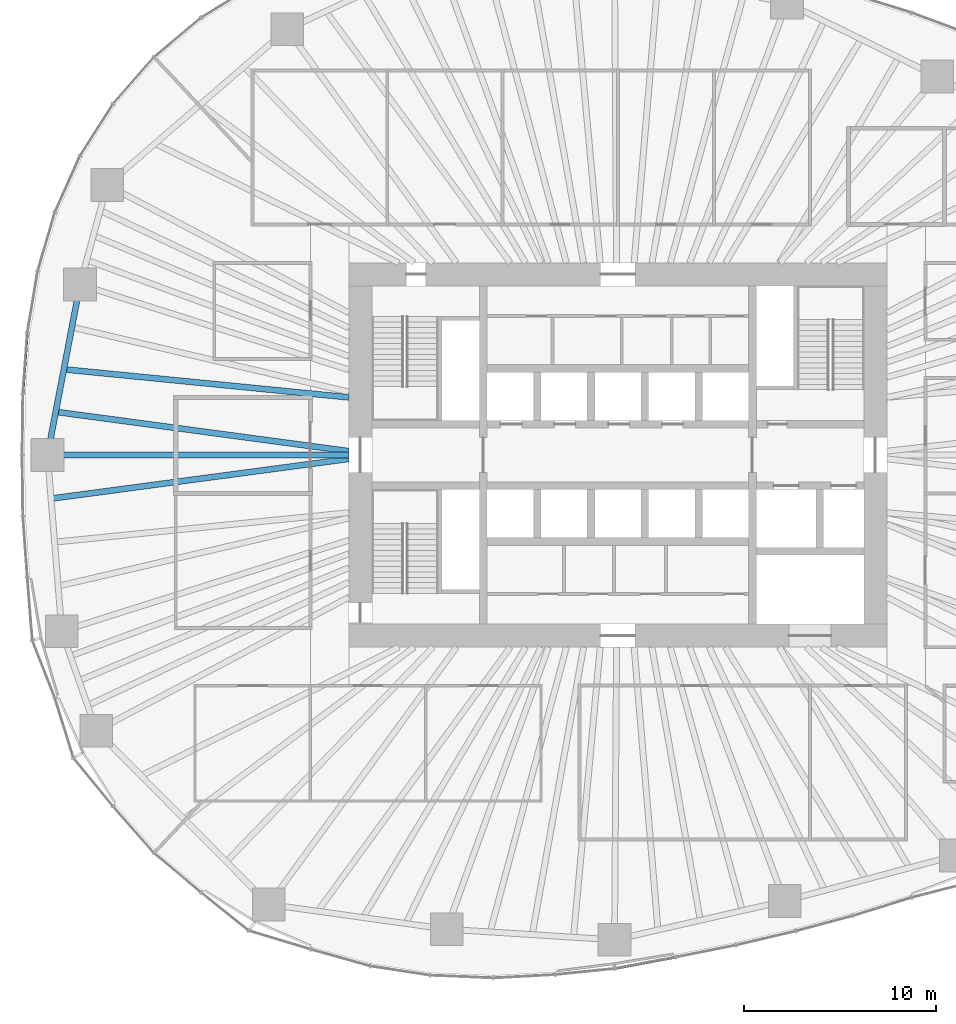
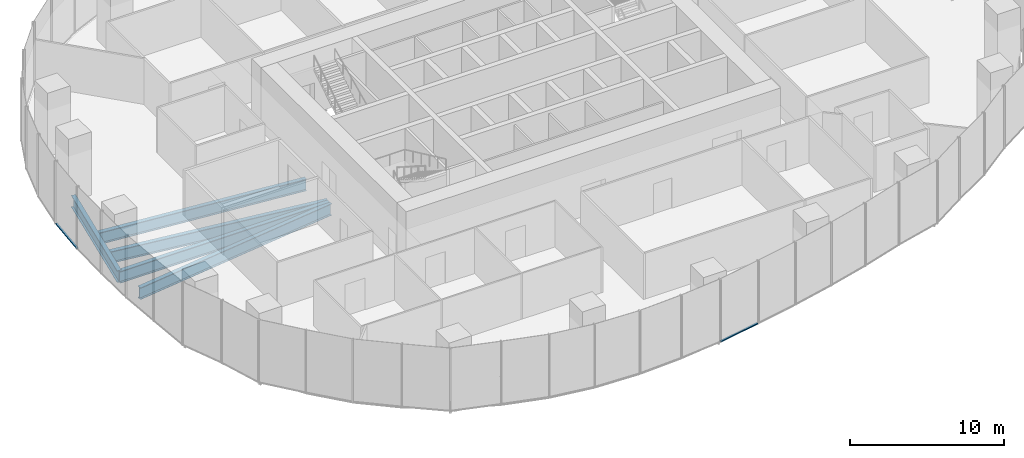
# One storey, part 3 of 20: 5 beams, 2 members, 2 elements without a shape of their own.
"""IFC4 building model written with IfcOpenShell, lengths in metres."""

from ifc_helpers import new_model, si_unit, direction, frame, origin, origin_2d, place, context, subcontext, project, spatial, rectangle, i_section, extrude, material, material_profile, profile_set, type_object, element, aggregate, save


model = new_model("IFC4")

# Units and contexts
model_context = context("Model", 3, precision=1e-05, world=origin(), true_north=direction((0.0, 1.0)))
body_context = subcontext(model_context, "Body", "Model", "MODEL_VIEW")
ifc_project = project(units=[si_unit("LENGTHUNIT", "METRE"), si_unit("AREAUNIT", "SQUARE_METRE"), si_unit("VOLUMEUNIT", "CUBIC_METRE"), si_unit("PLANEANGLEUNIT", "RADIAN"), si_unit("MASSUNIT", "GRAM", prefix="KILO")], contexts=[model_context])

# Site, building, storey
site_placement = place(None, origin())
site = spatial("IfcSite", under=ifc_project, at=site_placement, CompositionType="ELEMENT")
building_placement = place(site_placement, origin())
building = spatial("IfcBuilding", under=site, at=building_placement, Name="Ghaith Harvest Tower", CompositionType="ELEMENT")
storey_placement = place(building_placement, frame((0.0, 0.0, 90.0)))
storey = spatial("IfcBuildingStorey", under=building, at=storey_placement, Name="L18", CompositionType="ELEMENT", Elevation=90.0)

# Curtain wall, member
ifc_material_1 = material(Name="Black anodised aluminium and fritted glass", Category="aluminium")
curtain_wall_type = type_object("IfcCurtainWallType", Name="CW-F CURTAIN WALL", PredefinedType="NOTDEFINED", material=ifc_material_1)
curtain_wall_1_placement = place(storey_placement, origin())
curtain_wall_1 = element("IfcCurtainWall", 1, at=curtain_wall_1_placement, inside=storey, type_object=curtain_wall_type, Name="Curtain wall CW-F bay 10 L18", PredefinedType="NOTDEFINED")
ifc_material_2 = material(Name="Aluminium, black anodised", Category="aluminium")
ifc_material_profile_1 = material_profile(ifc_material_2, rectangle(XDim=0.139892578125, YDim=0.080078125, at=origin_2d()), Name="CW-F TRANSOM 140x80")
ifc_profile_set_1 = profile_set([ifc_material_profile_1], Name="Aluminium, black anodised")
member_type = type_object("IfcMemberType", Name="CW-F TRANSOM 140x80", PredefinedType="USERDEFINED", material=ifc_profile_set_1)
member_1_placement = place(storey_placement, frame((-30.72705078125, 6.335693359375, 0.0400390625), z_axis=(-0.072473547161, -0.997370334912, 0.0), x_axis=(0.997370334912, -0.072473547161, 0.0)))
member_1 = element("IfcMember", 2, at=member_1_placement, type_object=member_type, Name="CW-F transom 2 bay 10 L18", ObjectType="TRANSOM", PredefinedType="USERDEFINED", context=body_context, shape_type="SweptSolid", body=[
    extrude(rectangle(XDim=0.139892578125, YDim=0.080078125, at=origin_2d()), origin(), (0.0, 0.0, 1.0), 3.126220703125),
])
aggregate(curtain_wall_1, [member_1])

curtain_wall_2_placement = place(storey_placement, origin())
curtain_wall_2 = element("IfcCurtainWall", 3, at=curtain_wall_2_placement, inside=storey, type_object=curtain_wall_type, Name="Curtain wall CW-F bay 16 L18", PredefinedType="NOTDEFINED")
member_2_placement = place(storey_placement, frame((-0.1435546875, -26.709716796875, 0.0400390625), z_axis=(0.983139075124, 0.182859396706, 0.0), x_axis=(-0.182859396706, 0.983139075124, 0.0)))
member_2 = element("IfcMember", 4, at=member_2_placement, type_object=member_type, Name="CW-F transom 1 bay 16 L18", ObjectType="TRANSOM", PredefinedType="USERDEFINED", context=body_context, shape_type="SweptSolid", body=[
    extrude(rectangle(XDim=0.139892578125, YDim=0.080078125, at=origin_2d()), origin(), (0.0, 0.0, 1.0), 3.1669921875),
])
aggregate(curtain_wall_2, [member_2])

# Beams
ifc_material_3 = material(Name="Steel ASTM A992 Grade 50", Category="steel")
ifc_material_profile_2 = material_profile(ifc_material_3, i_section(OverallWidth=0.306884765625, OverallDepth=0.94189453125, WebThickness=0.022216796875, FlangeThickness=0.039794921875, at=origin_2d()), Name="W920X345")
ifc_profile_set_2 = profile_set([ifc_material_profile_2], Name="Steel ASTM A992 Grade 50")
beam_type_1 = type_object("IfcBeamType", Name="E920-345 W920X345", PredefinedType="SPANDREL", material=ifc_profile_set_2)
beam_1_placement = place(storey_placement, frame((-27.98291015625, 8.867919921875, -0.6708984375), z_axis=(-0.187433949108, -0.982277208695, 0.0), x_axis=(0.982277208695, -0.187433949108, 0.0)))
element("IfcBeam", 5, at=beam_1_placement, inside=storey, type_object=beam_type_1, Name="Edge beam E10 L18", PredefinedType="SPANDREL", context=body_context, shape_type="SweptSolid", body=[
    extrude(i_section(OverallWidth=0.306884765625, OverallDepth=0.94189453125, WebThickness=0.022216796875, FlangeThickness=0.039794921875, at=origin_2d()), origin(), (0.0, 0.0, 1.0), 9.02783203125),
])
ifc_material_4 = material(Name="Steel ASTM A992 Grade 50", Category="steel")
ifc_material_profile_3 = material_profile(ifc_material_4, i_section(OverallWidth=0.306884765625, OverallDepth=0.94189453125, WebThickness=0.022216796875, FlangeThickness=0.039794921875, at=origin_2d()), Name="W920X345")
ifc_profile_set_3 = profile_set([ifc_material_profile_3], Name="Steel ASTM A992 Grade 50")
beam_type_2 = type_object("IfcBeamType", Name="G920-345 W920X345", PredefinedType="BEAM", material=ifc_profile_set_3)
beam_2_placement = place(storey_placement, frame((-14.0, 0.0, -0.6708984375), z_axis=(-1.0, 0.0, 0.0), x_axis=(0.0, -1.0, 0.0)))
element("IfcBeam", 6, at=beam_2_placement, inside=storey, type_object=beam_type_2, Name="Radial girder G11 L18", PredefinedType="BEAM", context=body_context, shape_type="SweptSolid", body=[
    extrude(i_section(OverallWidth=0.306884765625, OverallDepth=0.94189453125, WebThickness=0.022216796875, FlangeThickness=0.039794921875, at=origin_2d()), origin(), (0.0, 0.0, 1.0), 15.675048828125),
])
ifc_material_5 = material(Name="Steel ASTM A992 Grade 50", Category="steel")
ifc_material_profile_4 = material_profile(ifc_material_5, i_section(OverallWidth=0.31005859375, OverallDepth=0.927001953125, WebThickness=0.019287109375, FlangeThickness=0.031982421875, at=origin_2d()), Name="W920X289")
ifc_profile_set_4 = profile_set([ifc_material_profile_4], Name="Steel ASTM A992 Grade 50")
beam_type_3 = type_object("IfcBeamType", Name="J920-289 W920X289", PredefinedType="JOIST", material=ifc_profile_set_4)
beam_3_placement = place(storey_placement, frame((-14.0, 3.0, -0.66357421875), z_axis=(-0.995196704135, 0.097895454848, 0.0), x_axis=(-0.097895454848, -0.995196704135, 0.0)))
element("IfcBeam", 7, at=beam_3_placement, inside=storey, type_object=beam_type_3, Name="Joist J10.2 L18", PredefinedType="JOIST", context=body_context, shape_type="SweptSolid", body=[
    extrude(i_section(OverallWidth=0.31005859375, OverallDepth=0.927001953125, WebThickness=0.019287109375, FlangeThickness=0.031982421875, at=origin_2d()), origin(), (0.0, 0.0, 1.0), 14.89599609375),
])
beam_4_placement = place(storey_placement, frame((-14.0, 0.199951171875, -0.66357421875), z_axis=(-0.991095171591, 0.133155401128, 0.0), x_axis=(-0.133155401128, -0.991095171591, 0.0)))
element("IfcBeam", 8, at=beam_4_placement, inside=storey, type_object=beam_type_3, Name="Joist J10.3 L18", PredefinedType="JOIST", context=body_context, shape_type="SweptSolid", body=[
    extrude(i_section(OverallWidth=0.31005859375, OverallDepth=0.927001953125, WebThickness=0.019287109375, FlangeThickness=0.031982421875, at=origin_2d()), origin(), (0.0, 0.0, 1.0), 15.383056640625),
])
beam_5_placement = place(storey_placement, frame((-14.0, -0.199951171875, -0.66357421875), z_axis=(-0.991213569042, -0.132271162948, 0.0), x_axis=(0.132271162948, -0.991213569042, 0.0)))
element("IfcBeam", 9, at=beam_5_placement, inside=storey, type_object=beam_type_3, Name="Joist J11.1 L18", PredefinedType="JOIST", context=body_context, shape_type="SweptSolid", body=[
    extrude(i_section(OverallWidth=0.31005859375, OverallDepth=0.927001953125, WebThickness=0.019287109375, FlangeThickness=0.031982421875, at=origin_2d()), origin(), (0.0, 0.0, 1.0), 15.6279296875),
])

save(model, "model.ifc")
